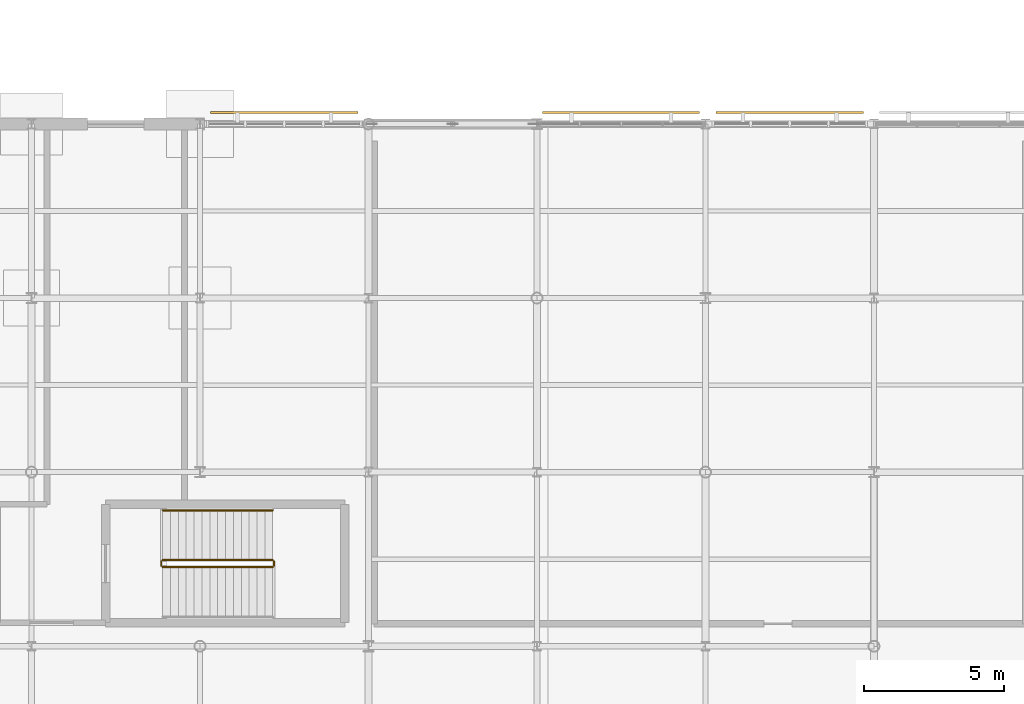
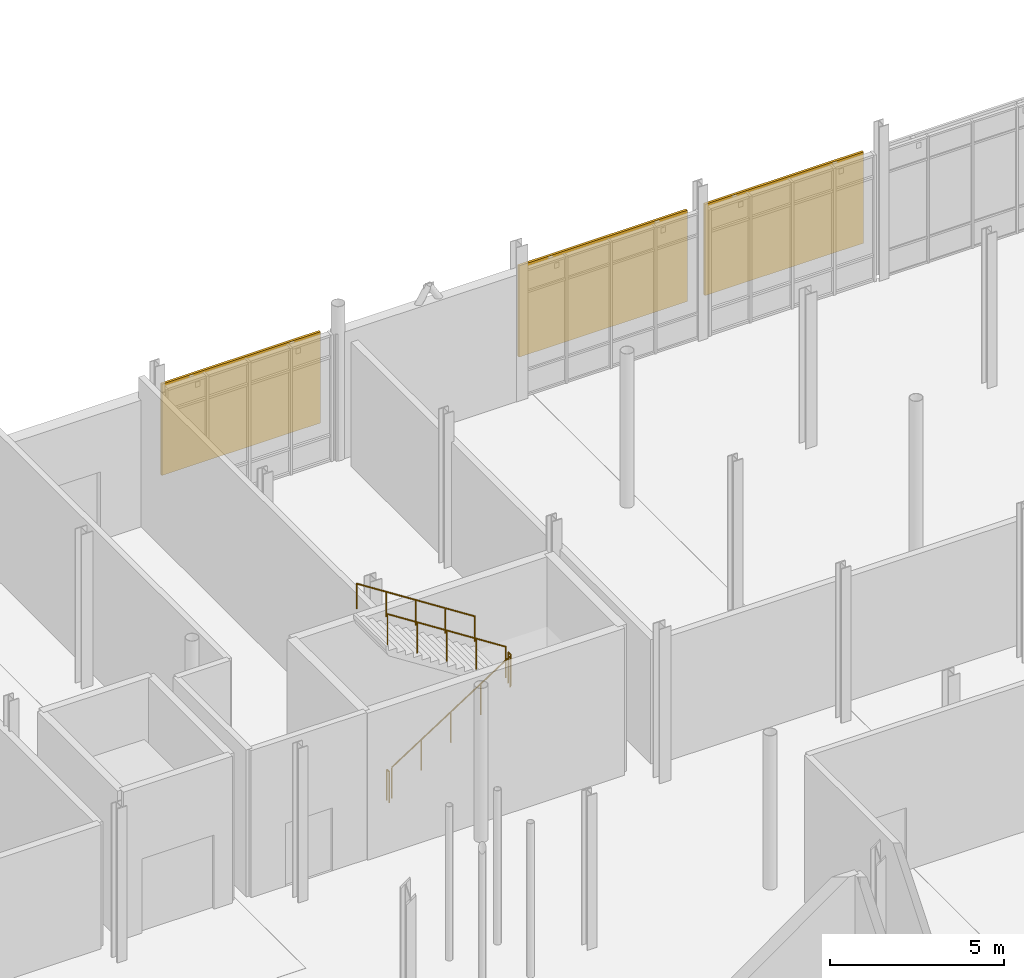
# One storey, part 92 of 98: 5 railings, 3 shading devices.
"""IFC4 building model written with IfcOpenShell, lengths in metres."""

from ifc_helpers import new_model, si_unit, direction, frame, origin, origin_2d, place, context, subcontext, project, spatial, rectangle, circle, extrude, material, layer, layer_set, type_object, element, save


model = new_model("IFC4")

# Units and contexts
model_context = context("Model", 3, precision=1e-05, world=origin(), true_north=direction((0.0, 1.0)))
body_context = subcontext(model_context, "Body", "Model", "MODEL_VIEW")
ifc_project = project(units=[si_unit("LENGTHUNIT", "METRE"), si_unit("AREAUNIT", "SQUARE_METRE"), si_unit("VOLUMEUNIT", "CUBIC_METRE"), si_unit("PLANEANGLEUNIT", "RADIAN"), si_unit("MASSUNIT", "GRAM", prefix="KILO")], contexts=[model_context])

# Site, building, storey
site_placement = place(None, origin())
site = spatial("IfcSite", under=ifc_project, at=site_placement, CompositionType="ELEMENT")
building_placement = place(site_placement, origin())
building = spatial("IfcBuilding", under=site, at=building_placement, Name="Mirzam Square Science Centre", CompositionType="ELEMENT")
storey_placement = place(building_placement, origin())
storey = spatial("IfcBuildingStorey", under=building, at=storey_placement, Name="L00", CompositionType="ELEMENT", Elevation=0.0)

# Railings
ifc_material_1 = material(Name="Bronze-Anodised Architectural Balustrade", Category="aluminium")
railing_type_1 = type_object("IfcRailingType", Name="RL-INT-GUARD-1100", PredefinedType="GUARDRAIL", material=ifc_material_1)
railing_1_placement = place(storey_placement, frame((28.669921875, 64.820068359375, 0.179931640625)))
element("IfcRailing", 1, at=railing_1_placement, inside=storey, type_object=railing_type_1, Name="L00 ST-02 stair guard 1", PredefinedType="GUARDRAIL", context=body_context, shape_type="SweptSolid", body=[
    extrude(circle(Radius=0.02392578125, at=origin_2d()), frame((0.0, 0.0, 1.076171875), z_axis=(0.841186985886, 0.0, 0.540744352514), x_axis=(0.0, 1.0, 0.0)), (0.0, 0.0, 1.0), 4.660400390625),
    extrude(circle(Radius=0.02099609375, at=origin_2d()), origin(), (0.0, 0.0, 1.0), 1.052001953125),
    extrude(circle(Radius=0.02099609375, at=origin_2d()), frame((0.97998046875, 0.0, 0.6298828125)), (0.0, 0.0, 1.0), 1.052001953125),
    extrude(circle(Radius=0.02099609375, at=origin_2d()), frame((1.9599609375, 0.0, 1.260009765625)), (0.0, 0.0, 1.0), 1.052001953125),
    extrude(circle(Radius=0.02099609375, at=origin_2d()), frame((2.940185546875, 0.0, 1.89013671875)), (0.0, 0.0, 1.0), 1.052001953125),
    extrude(circle(Radius=0.02099609375, at=origin_2d()), frame((3.920166015625, 0.0, 2.52001953125)), (0.0, 0.0, 1.0), 1.052001953125),
])
railing_2_placement = place(storey_placement, frame((32.639892578125, 64.8701171875, 2.699951171875)))
element("IfcRailing", 2, at=railing_2_placement, inside=storey, type_object=railing_type_1, Name="L00 ST-02 stair guard 2", PredefinedType="GUARDRAIL", context=body_context, shape_type="SweptSolid", body=[
    extrude(circle(Radius=0.02392578125, at=origin_2d()), frame((0.0, 0.0, 1.076171875), z_axis=(0.0, 1.0, 0.0), x_axis=(-1.0, 0.0, 0.0)), (0.0, 0.0, 1.0), 0.14990234375),
    extrude(circle(Radius=0.02099609375, at=origin_2d()), origin(), (0.0, 0.0, 1.0), 1.052001953125),
    extrude(circle(Radius=0.02099609375, at=origin_2d()), frame((0.0, 0.14990234375, 0.0)), (0.0, 0.0, 1.0), 1.052001953125),
])
railing_3_placement = place(storey_placement, frame((32.590087890625, 65.070068359375, 2.8798828125)))
element("IfcRailing", 3, at=railing_3_placement, inside=storey, type_object=railing_type_1, Name="L00 ST-02 stair guard 3", PredefinedType="GUARDRAIL", context=body_context, shape_type="SweptSolid", body=[
    extrude(circle(Radius=0.02392578125, at=origin_2d()), frame((0.0, 0.0, 1.076171875), z_axis=(-0.841186985886, 0.0, 0.540744352514), x_axis=(0.0, -1.0, 0.0)), (0.0, 0.0, 1.0), 4.660400390625),
    extrude(circle(Radius=0.02099609375, at=origin_2d()), origin(), (0.0, 0.0, 1.0), 1.052001953125),
    extrude(circle(Radius=0.02099609375, at=origin_2d()), frame((-0.97998046875, 0.0, 0.6298828125)), (0.0, 0.0, 1.0), 1.052001953125),
    extrude(circle(Radius=0.02099609375, at=origin_2d()), frame((-1.9599609375, 0.0, 1.260009765625)), (0.0, 0.0, 1.0), 1.052001953125),
    extrude(circle(Radius=0.02099609375, at=origin_2d()), frame((-2.940185546875, 0.0, 1.89013671875)), (0.0, 0.0, 1.0), 1.052001953125),
    extrude(circle(Radius=0.02099609375, at=origin_2d()), frame((-3.920166015625, 0.0, 2.52001953125)), (0.0, 0.0, 1.0), 1.052001953125),
])
railing_4_placement = place(storey_placement, frame((28.6201171875, 64.8701171875, 0.0)))
element("IfcRailing", 4, at=railing_4_placement, inside=storey, type_object=railing_type_1, Name="L00 ST-02 stair guard 4", PredefinedType="GUARDRAIL", context=body_context, shape_type="SweptSolid", body=[
    extrude(circle(Radius=0.02392578125, at=origin_2d()), frame((0.0, 0.0, 1.076171875), z_axis=(0.0, 1.0, 0.0), x_axis=(-1.0, 0.0, 0.0)), (0.0, 0.0, 1.0), 0.14990234375),
    extrude(circle(Radius=0.02099609375, at=origin_2d()), origin(), (0.0, 0.0, 1.0), 1.052001953125),
    extrude(circle(Radius=0.02099609375, at=origin_2d()), frame((0.0, 0.14990234375, 0.0)), (0.0, 0.0, 1.0), 1.052001953125),
])
ifc_material_2 = material(Name="Brushed Bronze Tubular Handrail", Category="aluminium")
railing_type_2 = type_object("IfcRailingType", Name="RL-STAIR-HANDRAIL-900", PredefinedType="HANDRAIL", material=ifc_material_2)
railing_5_placement = place(storey_placement, frame((32.590087890625, 66.840087890625, 3.072021484375)))
element("IfcRailing", 5, at=railing_5_placement, inside=storey, type_object=railing_type_2, Name="L00 ST-02 stair handrail 2", PredefinedType="HANDRAIL", context=body_context, shape_type="SweptSolid", body=[
    extrude(circle(Radius=0.02392578125, at=origin_2d()), frame((0.0, 0.0, 0.8759765625), z_axis=(-0.841186985886, 0.0, 0.540744352514), x_axis=(0.0, -1.0, 0.0)), (0.0, 0.0, 1.0), 4.660400390625),
    extrude(circle(Radius=0.02099609375, at=origin_2d()), origin(), (0.0, 0.0, 1.0), 0.851806640625),
    extrude(circle(Radius=0.02099609375, at=origin_2d()), frame((-0.97998046875, 0.0, 0.6298828125)), (0.0, 0.0, 1.0), 0.851806640625),
    extrude(circle(Radius=0.02099609375, at=origin_2d()), frame((-1.9599609375, 0.0, 1.260009765625)), (0.0, 0.0, 1.0), 0.851806640625),
    extrude(circle(Radius=0.02099609375, at=origin_2d()), frame((-2.940185546875, 0.0, 1.89013671875)), (0.0, 0.0, 1.0), 0.851806640625),
    extrude(circle(Radius=0.02099609375, at=origin_2d()), frame((-3.920166015625, 0.0, 2.52001953125)), (0.0, 0.0, 1.0), 0.851806640625),
])

# Shading devices
ifc_material_3 = material(Name="Perforated Bronze-Anodised Aluminium Brise-Soleil", Category="aluminium")
ifc_layer = layer(ifc_material_3, 0.080078125)
ifc_layer_set = layer_set([ifc_layer], Name="SHD-BRISE-BRONZE")
shading_device_type = type_object("IfcShadingDeviceType", Name="SHD-BRISE-BRONZE", PredefinedType="JALOUSIE", material=ifc_layer_set)
shading_device_1_placement = place(storey_placement, frame((33.0, 81.010009765625, 1.08984375), z_axis=(0.0, 0.0, 1.0), x_axis=(-1.0, 0.0, 0.0)))
element("IfcShadingDevice", 6, at=shading_device_1_placement, inside=storey, type_object=shading_device_type, Name="L00 bronze brise-soleil screen 3", PredefinedType="JALOUSIE", context=body_context, shape_type="SweptSolid", body=[
    extrude(rectangle(XDim=5.25, YDim=0.080078125, at=origin_2d()), origin(), (0.0, 0.0, 1.0), 3.199951171875),
])
shading_device_2_placement = place(storey_placement, frame((45.0, 81.010009765625, 1.08984375), z_axis=(0.0, 0.0, 1.0), x_axis=(-1.0, 0.0, 0.0)))
element("IfcShadingDevice", 7, at=shading_device_2_placement, inside=storey, type_object=shading_device_type, Name="L00 bronze brise-soleil screen 4", PredefinedType="JALOUSIE", context=body_context, shape_type="SweptSolid", body=[
    extrude(rectangle(XDim=5.590087890625, YDim=0.080078125, at=origin_2d()), origin(), (0.0, 0.0, 1.0), 3.199951171875),
])
shading_device_3_placement = place(storey_placement, frame((51.0, 81.010009765625, 1.08984375), z_axis=(0.0, 0.0, 1.0), x_axis=(-1.0, 0.0, 0.0)))
element("IfcShadingDevice", 8, at=shading_device_3_placement, inside=storey, type_object=shading_device_type, Name="L00 bronze brise-soleil screen 5", PredefinedType="JALOUSIE", context=body_context, shape_type="SweptSolid", body=[
    extrude(rectangle(XDim=5.25, YDim=0.080078125, at=origin_2d()), origin(), (0.0, 0.0, 1.0), 3.199951171875),
])

save(model, "model.ifc")
